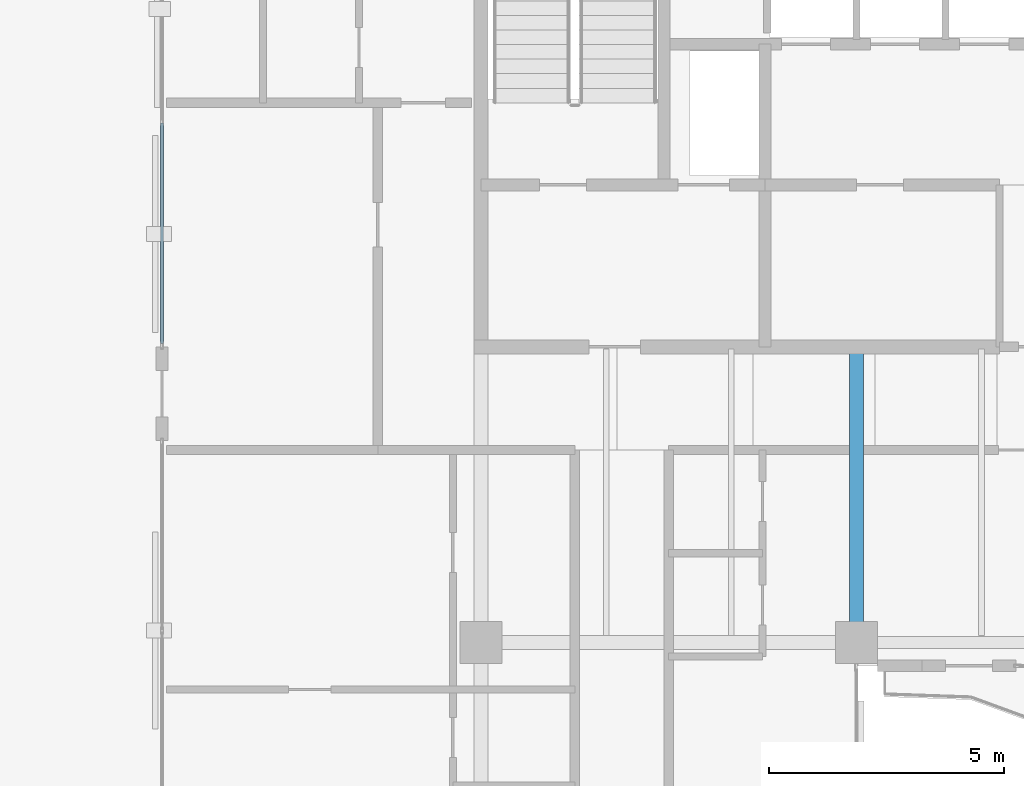
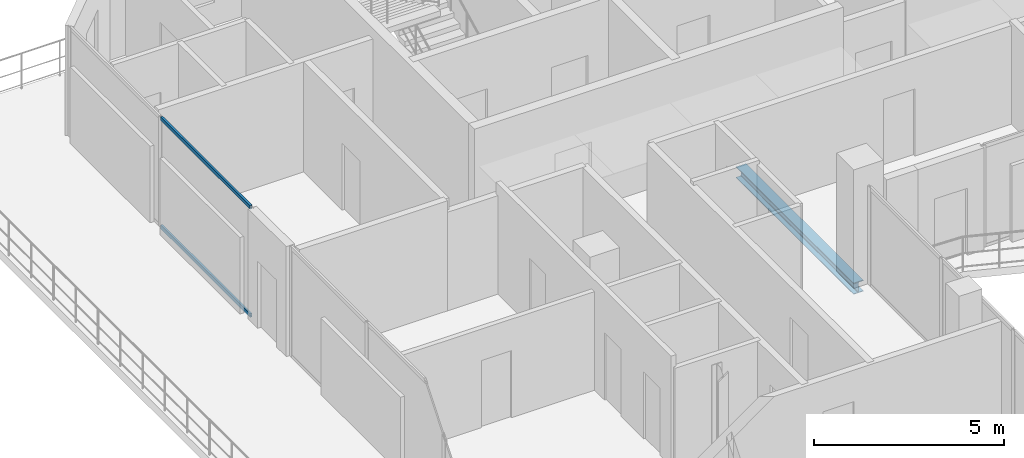
# One storey, part 9 of 18: 2 members, 1 beam, 1 element without a shape of its own.
"""IFC4 building model written with IfcOpenShell, lengths in metres."""

from ifc_helpers import new_model, si_unit, direction, frame, origin, origin_2d, place, context, subcontext, project, spatial, hollow_rectangle, i_section, extrude, material, layer, layer_set, material_profile, profile_set, type_object, element, aggregate, save


model = new_model("IFC4")

# Units and contexts
model_context = context("Model", 3, precision=1e-05, world=origin(), true_north=direction((0.0, 1.0)))
body_context = subcontext(model_context, "Body", "Model", "MODEL_VIEW")
ifc_project = project(units=[si_unit("LENGTHUNIT", "METRE"), si_unit("AREAUNIT", "SQUARE_METRE"), si_unit("VOLUMEUNIT", "CUBIC_METRE"), si_unit("PLANEANGLEUNIT", "RADIAN"), si_unit("MASSUNIT", "GRAM", prefix="KILO")], contexts=[model_context])

# Site, building, storey
site_placement = place(None, origin())
site = spatial("IfcSite", under=ifc_project, at=site_placement, CompositionType="ELEMENT")
building_placement = place(site_placement, origin())
building = spatial("IfcBuilding", under=site, at=building_placement, Name="Catumbela Crestline Tower", CompositionType="ELEMENT")
storey_placement = place(building_placement, frame((0.0, 0.0, 264.0)))
storey = spatial("IfcBuildingStorey", under=building, at=storey_placement, Name="L68", CompositionType="ELEMENT", Elevation=264.0)

# Beam
ifc_material_1 = material(Name="Structural steel S355J2", Category="steel")
ifc_material_profile_1 = material_profile(ifc_material_1, i_section(OverallWidth=0.3, OverallDepth=0.36, WebThickness=0.0125, FlangeThickness=0.0225, FilletRadius=0.027, at=origin_2d()), Name="HEB 360")
ifc_profile_set_1 = profile_set([ifc_material_profile_1], Name="Structural steel S355J2")
beam_type = type_object("IfcBeamType", Name="BG-HEB360", PredefinedType="BEAM", material=ifc_profile_set_1)
beam_placement = place(storey_placement, frame((24.0, 24.58, -0.44), z_axis=(0.0, 1.0, 0.0), x_axis=(-1.0, 0.0, 0.0)))
element("IfcBeam", 1, at=beam_placement, inside=storey, type_object=beam_type, Name="L68 Beam BM-L68-SNS07", PredefinedType="BEAM", context=body_context, shape_type="SweptSolid", body=[
    extrude(i_section(OverallWidth=0.3, OverallDepth=0.36, WebThickness=0.0125, FlangeThickness=0.0225, FilletRadius=0.027, at=origin_2d()), origin(), (0.0, 0.0, 1.0), 6.17),
])

# Curtain wall, members
ifc_material_2 = material(Name="Aluminium alloy AW-6060-T66", Category="aluminium")
ifc_layer = layer(ifc_material_2, 0.18, Name="Aluminium alloy AW-6060-T66")
ifc_layer_set = layer_set([ifc_layer], Name="Aluminium alloy AW-6060-T66")
curtain_wall_type = type_object("IfcCurtainWallType", Name="CWU-Z4", PredefinedType="USERDEFINED", material=ifc_layer_set)
curtain_wall_placement = place(storey_placement, origin())
curtain_wall = element("IfcCurtainWall", 2, at=curtain_wall_placement, inside=storey, type_object=curtain_wall_type, Name="L68 Unitised Curtain Wall CW-L68-E9S1", ObjectType="UNITISED", PredefinedType="USERDEFINED")
ifc_material_profile_2 = material_profile(ifc_material_2, hollow_rectangle(XDim=0.06, YDim=0.12, WallThickness=0.0035, at=origin_2d()), Name="ALU 120x60x3.5")
ifc_profile_set_2 = profile_set([ifc_material_profile_2], Name="Aluminium alloy AW-6060-T66")
member_type = type_object("IfcMemberType", Name="TRN-120X60", PredefinedType="USERDEFINED", material=ifc_profile_set_2)
member_1_placement = place(storey_placement, frame((9.2, 35.5675, 0.03), z_axis=(0.0, -1.0, 0.0), x_axis=(1.0, 0.0, 0.0)))
member_1 = element("IfcMember", 3, at=member_1_placement, type_object=member_type, Name="CWU-Z4 transom 2.1", ObjectType="TRANSOM", PredefinedType="USERDEFINED", context=body_context, shape_type="SweptSolid", body=[
    extrude(hollow_rectangle(XDim=0.06, YDim=0.12, WallThickness=0.0035, at=origin_2d()), origin(), (0.0, 0.0, 1.0), 4.7025),
])
member_2_placement = place(storey_placement, frame((9.2, 35.5675, 3.5), z_axis=(0.0, -1.0, 0.0), x_axis=(1.0, 0.0, 0.0)))
member_2 = element("IfcMember", 4, at=member_2_placement, type_object=member_type, Name="CWU-Z4 transom 2.2", ObjectType="TRANSOM", PredefinedType="USERDEFINED", context=body_context, shape_type="SweptSolid", body=[
    extrude(hollow_rectangle(XDim=0.06, YDim=0.12, WallThickness=0.0035, at=origin_2d()), origin(), (0.0, 0.0, 1.0), 4.7025),
])
aggregate(curtain_wall, [member_1, member_2])

save(model, "model.ifc")
